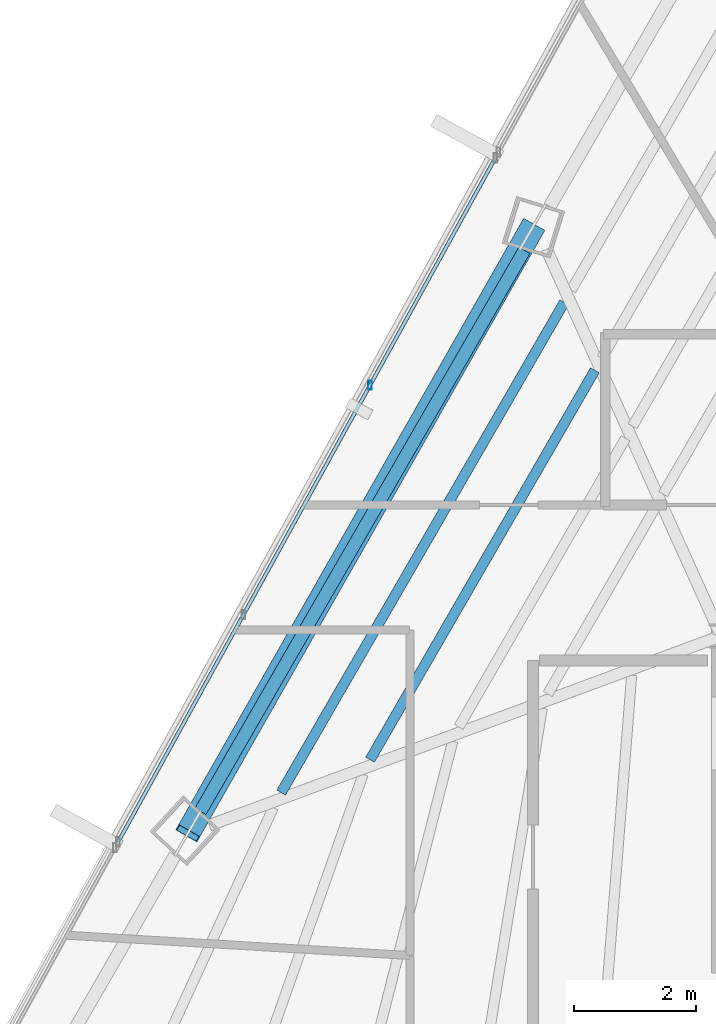
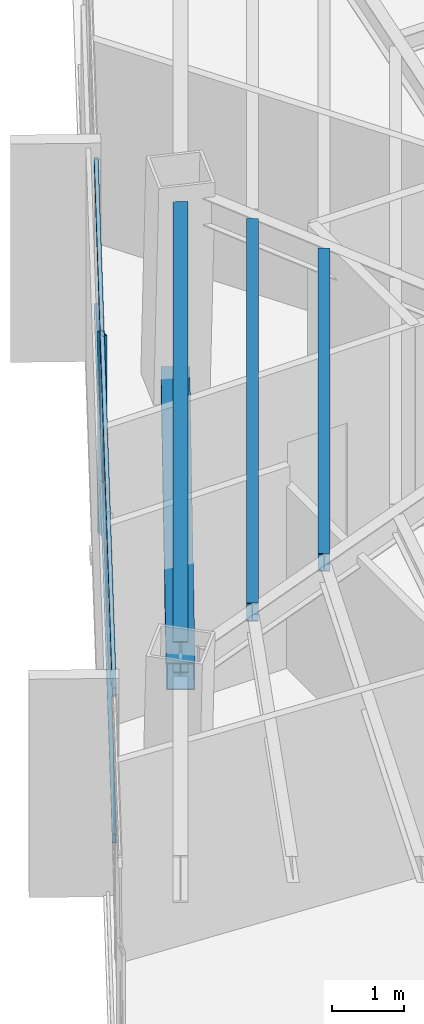
# One storey, part 15 of 40: 4 members, 3 beams, 1 element without a shape of its own.
"""IFC4 building model written with IfcOpenShell, lengths in metres."""

from ifc_helpers import new_model, si_unit, direction, frame, origin, origin_2d, place, context, subcontext, project, spatial, hollow_rectangle, i_section, extrude, source, transform, mapped, material, material_profile, profile_set, type_object, type_shapes, element, aggregate, save


model = new_model("IFC4")

# Units and contexts
model_context = context("Model", 3, precision=1e-05, world=origin(), true_north=direction((0.0, 1.0)))
body_context = subcontext(model_context, "Body", "Model", "MODEL_VIEW")
ifc_project = project(units=[si_unit("LENGTHUNIT", "METRE"), si_unit("AREAUNIT", "SQUARE_METRE"), si_unit("VOLUMEUNIT", "CUBIC_METRE"), si_unit("PLANEANGLEUNIT", "RADIAN"), si_unit("MASSUNIT", "GRAM", prefix="KILO")], contexts=[model_context])

# Site, building, storey
site_placement = place(None, origin())
site = spatial("IfcSite", under=ifc_project, at=site_placement, CompositionType="ELEMENT")
building_placement = place(site_placement, origin())
building = spatial("IfcBuilding", under=site, at=building_placement, Name="Caelisora Broadcast Tower", CompositionType="ELEMENT")
storey_placement = place(building_placement, frame((0.0, 0.0, 213.25)))
storey = spatial("IfcBuildingStorey", under=building, at=storey_placement, Name="L56", CompositionType="ELEMENT", Elevation=213.25)

# Beams
ifc_material_1 = material(Name="Steel Grade 350 (AS/NZS 3679.1)", Category="steel")
ifc_material_profile_1 = material_profile(ifc_material_1, i_section(OverallWidth=0.208984375, OverallDepth=0.532958984375, WebThickness=0.01025390625, FlangeThickness=0.015625, at=origin_2d()), Name="Steel Grade 350 (AS/NZS 3679.1)")
ifc_profile_set_1 = profile_set([ifc_material_profile_1], Name="Steel Grade 350 (AS/NZS 3679.1)")
beam_type_1 = type_object("IfcBeamType", Name="PG05", PredefinedType="BEAM", material=ifc_profile_set_1)
shared_shape_1 = source(origin(), body_context, "Body", "SweptSolid", [
    extrude(i_section(OverallWidth=0.208984375, OverallDepth=0.532958984375, WebThickness=0.01025390625, FlangeThickness=0.015625, at=origin_2d()), origin(), (0.0, 0.0, 1.0), 10.62255859375),
])
type_shapes(beam_type_1, [shared_shape_1])
beam_1_placement = place(storey_placement, frame((27.275146484375, 36.324951171875, 3.133544921875), z_axis=(-0.499997664454, -0.866026752208, 0.0), x_axis=(0.866026752208, -0.499997664454, 0.0)))
element("IfcBeam", 1, at=beam_1_placement, inside=storey, type_object=beam_type_1, Name="L56 beam PG05", PredefinedType="BEAM", context=body_context, shape_type="MappedRepresentation", body=[
    mapped(shared_shape_1, transform((0.0, 0.0, 0.0), scale=1.0)),
])
ifc_material_profile_2 = material_profile(ifc_material_1, i_section(OverallWidth=0.166015625, OverallDepth=0.30712890625, WebThickness=0.006591796875, FlangeThickness=0.01171875, at=origin_2d()), Name="Steel Grade 350 (AS/NZS 3679.1)")
ifc_profile_set_2 = profile_set([ifc_material_profile_2], Name="Steel Grade 350 (AS/NZS 3679.1)")
beam_type_2 = type_object("IfcBeamType", Name="SB03", PredefinedType="JOIST", material=ifc_profile_set_2)
shared_shape_2 = source(origin(), body_context, "Body", "SweptSolid", [
    extrude(i_section(OverallWidth=0.166015625, OverallDepth=0.30712890625, WebThickness=0.006591796875, FlangeThickness=0.01171875, at=origin_2d()), origin(), (0.0, 0.0, 1.0), 7.375244140625),
])
beam_2_placement = place(storey_placement, frame((28.431396484375, 34.357666015625, 3.246337890625), z_axis=(-0.499984166635, -0.866034544989, 0.0), x_axis=(0.866034544989, -0.499984166635, 0.0)))
element("IfcBeam", 2, at=beam_2_placement, inside=storey, type_object=beam_type_2, Name="L56 beam SB03", PredefinedType="JOIST", context=body_context, shape_type="MappedRepresentation", body=[
    mapped(shared_shape_2, transform((0.0, 0.0, 0.0), scale=1.0)),
])
shared_shape_3 = source(origin(), body_context, "Body", "SweptSolid", [
    extrude(i_section(OverallWidth=0.166015625, OverallDepth=0.30712890625, WebThickness=0.006591796875, FlangeThickness=0.01171875, at=origin_2d()), origin(), (0.0, 0.0, 1.0), 9.2841796875),
])
type_shapes(beam_type_2, [shared_shape_2, shared_shape_3])
beam_3_placement = place(storey_placement, frame((27.9287109375, 35.4716796875, 3.246337890625), z_axis=(-0.500002437387, -0.866023996554, 0.0), x_axis=(0.866023996554, -0.500002437387, 0.0)))
element("IfcBeam", 3, at=beam_3_placement, inside=storey, type_object=beam_type_2, Name="L56 beam SB03", PredefinedType="JOIST", context=body_context, shape_type="MappedRepresentation", body=[
    mapped(shared_shape_3, transform((0.0, 0.0, 0.0), scale=1.0)),
])

# Member
ifc_material_2 = material(Name="Steel Grade 450 (AS/NZS 1163 C450L0)", Category="steel")
ifc_material_profile_3 = material_profile(ifc_material_2, hollow_rectangle(XDim=0.39990234375, YDim=0.39990234375, WallThickness=0.01611328125, at=origin_2d()), Name="Steel Grade 450 (AS/NZS 1163 C450L0)")
ifc_profile_set_3 = profile_set([ifc_material_profile_3], Name="Steel Grade 450 (AS/NZS 1163 C450L0)")
member_type_1 = type_object("IfcMemberType", Name="BR04", PredefinedType="BRACE", material=ifc_profile_set_3)
shared_shape_4 = source(origin(), body_context, "Body", "SweptSolid", [
    extrude(hollow_rectangle(XDim=0.39990234375, YDim=0.39990234375, WallThickness=0.01611328125, at=origin_2d()), origin(), (0.0, 0.0, 1.0), 11.8251953125),
])
type_shapes(member_type_1, [shared_shape_4])
member_1_placement = place(storey_placement, frame((27.412353515625, 36.707275390625, 0.10009765625), z_axis=(-0.478339222221, -0.840732435896, 0.253693830664), x_axis=(0.86916762818, -0.494517577165, 0.0)))
element("IfcMember", 4, at=member_1_placement, inside=storey, type_object=member_type_1, Name="L56 perimeter brace BR04", PredefinedType="BRACE", context=body_context, shape_type="MappedRepresentation", body=[
    mapped(shared_shape_4, transform((0.0, 0.0, 0.0), scale=1.0)),
])

# Curtain wall, members
ifc_material_3 = material(Name="Unitised Aluminium Insulated Shadow-Box Spandrel Curtain Wall", Category="aluminium")
curtain_wall_type = type_object("IfcCurtainWallType", Name="CW-SP2", PredefinedType="NOTDEFINED", material=ifc_material_3)
curtain_wall_placement = place(storey_placement, origin())
curtain_wall = element("IfcCurtainWall", 5, at=curtain_wall_placement, inside=storey, type_object=curtain_wall_type, Name="L56 curtain wall CW-SP2", PredefinedType="NOTDEFINED")
ifc_material_4 = material(Name="Aluminium 6063-T6 Anodised Terracotta Bronze", Category="aluminium")
ifc_material_profile_4 = material_profile(ifc_material_4, hollow_rectangle(XDim=0.06005859375, YDim=0.14990234375, WallThickness=0.00341796875, at=origin_2d()), Name="Aluminium 6063-T6 Anodised Terracotta Bronze")
ifc_profile_set_4 = profile_set([ifc_material_profile_4], Name="Aluminium 6063-T6 Anodised Terracotta Bronze")
member_type_2 = type_object("IfcMemberType", Name="CWM-03", PredefinedType="MULLION", material=ifc_profile_set_4)
shared_shape_5 = source(origin(), body_context, "Body", "SweptSolid", [
    extrude(hollow_rectangle(XDim=0.06005859375, YDim=0.14990234375, WallThickness=0.00341796875, at=origin_2d()), origin(), (0.0, 0.0, 1.0), 3.39990234375),
])
type_shapes(member_type_2, [shared_shape_5])
member_2_placement = place(storey_placement, frame((24.745361328125, 34.114501953125, 0.0), z_axis=(0.0, 0.0, 1.0), x_axis=(1.0, 0.0, 0.0)))
member_2 = element("IfcMember", 6, at=member_2_placement, type_object=member_type_2, Name="L56-CW-B10 mullion #2", PredefinedType="MULLION", context=body_context, shape_type="MappedRepresentation", body=[
    mapped(shared_shape_5, transform((0.0, 0.0, 0.0), scale=1.0)),
])
ifc_material_profile_5 = material_profile(ifc_material_4, hollow_rectangle(XDim=0.06005859375, YDim=0.14990234375, WallThickness=0.00341796875, at=origin_2d()), Name="Aluminium 6063-T6 Anodised Terracotta Bronze")
ifc_profile_set_5 = profile_set([ifc_material_profile_5], Name="Aluminium 6063-T6 Anodised Terracotta Bronze")
member_type_3 = type_object("IfcMemberType", Name="CWT-02", PredefinedType="USERDEFINED", material=ifc_profile_set_5)
shared_shape_6 = source(origin(), body_context, "Body", "SweptSolid", [
    extrude(hollow_rectangle(XDim=0.06005859375, YDim=0.14990234375, WallThickness=0.00341796875, at=origin_2d()), origin(), (0.0, 0.0, 1.0), 12.8095703125),
])
type_shapes(member_type_3, [shared_shape_6])
member_3_placement = place(storey_placement, frame((20.613037109375, 26.622314453125, 0.85009765625), z_axis=(0.48293978792, 0.875653562343, 0.0), x_axis=(-0.875653562343, 0.48293978792, 0.0)))
member_3 = element("IfcMember", 7, at=member_3_placement, type_object=member_type_3, Name="L56-CW-B10 transom #1", ObjectType="TRANSOM", PredefinedType="USERDEFINED", context=body_context, shape_type="MappedRepresentation", body=[
    mapped(shared_shape_6, transform((0.0, 0.0, 0.0), scale=1.0)),
])
member_4_placement = place(storey_placement, frame((20.613037109375, 26.622314453125, 3.320068359375), z_axis=(0.48293978792, 0.875653562343, 0.0), x_axis=(-0.875653562343, 0.48293978792, 0.0)))
member_4 = element("IfcMember", 8, at=member_4_placement, type_object=member_type_3, Name="L56-CW-B10 transom #2", ObjectType="TRANSOM", PredefinedType="USERDEFINED", context=body_context, shape_type="MappedRepresentation", body=[
    mapped(shared_shape_6, transform((0.0, 0.0, 0.0), scale=1.0)),
])
aggregate(curtain_wall, [member_2, member_3, member_4])

save(model, "model.ifc")
